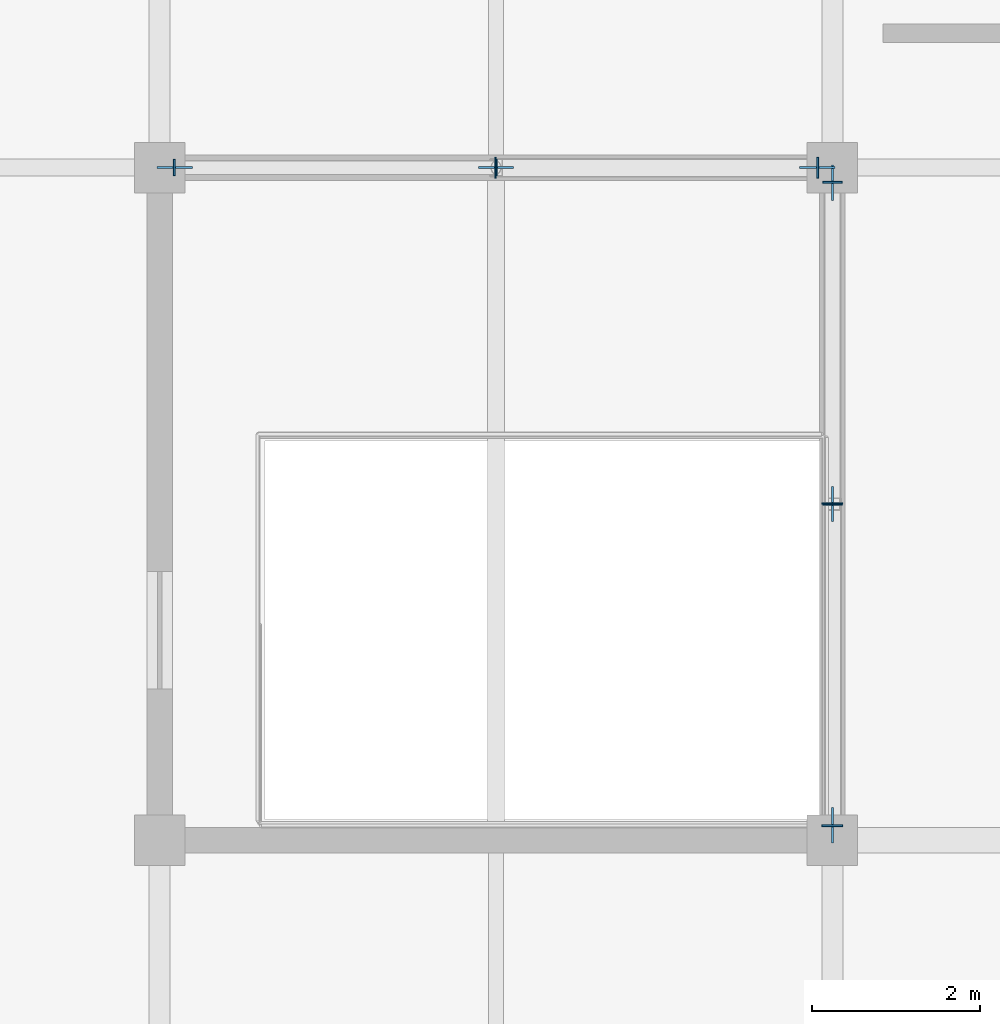
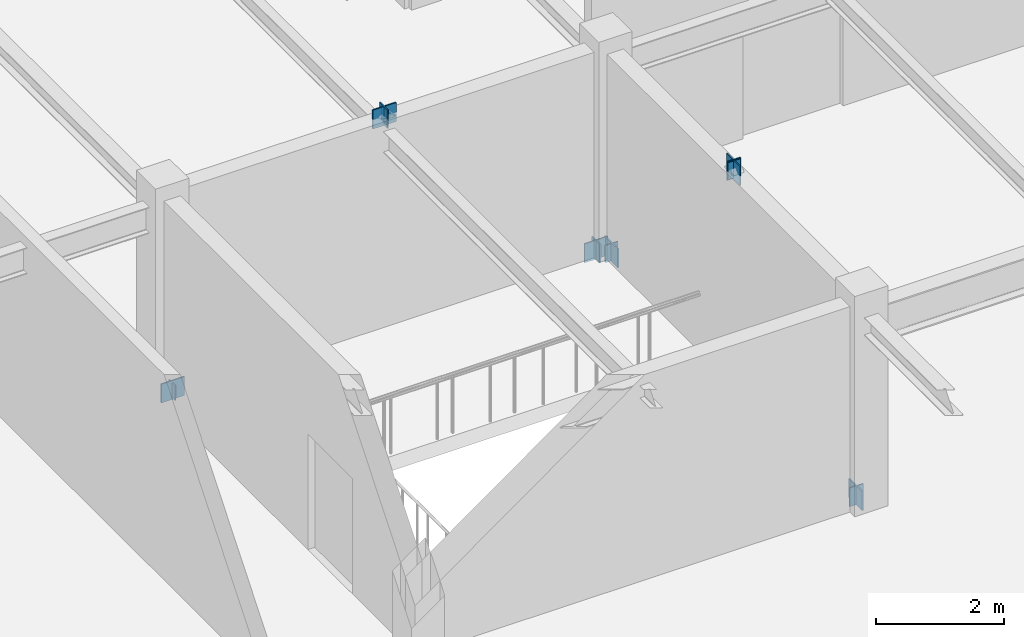
# One storey, part 72 of 88: 14 plates.
"""IFC4 building model written with IfcOpenShell, lengths in metres."""

from ifc_helpers import new_model, si_unit, direction, frame, origin, origin_2d, place, context, subcontext, project, spatial, rectangle, extrude, material, layer, layer_set, type_object, element, save


model = new_model("IFC4")

# Units and contexts
model_context = context("Model", 3, precision=1e-05, world=origin(), true_north=direction((0.0, 1.0)))
body_context = subcontext(model_context, "Body", "Model", "MODEL_VIEW")
ifc_project = project(units=[si_unit("LENGTHUNIT", "METRE"), si_unit("AREAUNIT", "SQUARE_METRE"), si_unit("VOLUMEUNIT", "CUBIC_METRE"), si_unit("PLANEANGLEUNIT", "RADIAN"), si_unit("MASSUNIT", "GRAM", prefix="KILO")], contexts=[model_context])

# Site, building, storey
site_placement = place(None, origin())
site = spatial("IfcSite", under=ifc_project, at=site_placement, CompositionType="ELEMENT")
building_placement = place(site_placement, origin())
building = spatial("IfcBuilding", under=site, at=building_placement, Name="Zhaolan Boulevard Law Courts", CompositionType="ELEMENT")
storey_placement = place(building_placement, frame((0.0, 0.0, 16.199951171875)))
storey = spatial("IfcBuildingStorey", under=building, at=storey_placement, Name="L03", CompositionType="ELEMENT", Elevation=16.199951171875)

# Plates
ifc_material_1 = material(Name="Structural steel Q355B", Category="steel")
ifc_layer_1 = layer(ifc_material_1, 0.02392578125)
ifc_layer_set_1 = layer_set([ifc_layer_1])
plate_type_1 = type_object("IfcPlateType", Name="BRACE GUSSET PLATE 24", PredefinedType="SHEET", material=ifc_layer_set_1)
for number, where, z_axis, x_axis, name in (
    (1, (140.179931640625, 78.0, -0.14990234375), (0.0, 0.0, 1.0), (1.0, 0.0, 0.0), "Brace Gusset Connection Plate GP-T2-L03-NA1"),
    (2, (147.820068359375, 78.0, -0.14990234375), (0.0, 0.0, 1.0), (1.0, 0.0, 0.0), "Brace Gusset Connection Plate GP-T2-L03-NA2"),
    (3, (144.0, 78.0, 3.740234375), (0.0, 0.0, 1.0), (1.0, 0.0, 0.0), "Brace Gusset Connection Plate GP-T2-L03-NAPX"),
    (4, (148.0, 70.179931640625, -0.14990234375), (0.0, 0.0, 1.0), (0.0, 1.0, 0.0), "Brace Gusset Connection Plate GP-T2-L03-EA1"),
    (5, (148.0, 77.820068359375, -0.14990234375), (0.0, 0.0, 1.0), (0.0, 1.0, 0.0), "Brace Gusset Connection Plate GP-T2-L03-EA2"),
    (6, (148.0, 74.0, 3.740234375), (0.0, 0.0, 1.0), (0.0, 1.0, 0.0), "Brace Gusset Connection Plate GP-T2-L03-EAPX"),
):
    element("IfcPlate", number, at=place(storey_placement, frame(where, z_axis=z_axis, x_axis=x_axis)), inside=storey, type_object=plate_type_1, Name=name, PredefinedType="SHEET", context=body_context, shape_type="SweptSolid", body=[
        extrude(rectangle(XDim=0.419921875, YDim=0.02392578125, at=origin_2d()), origin(), (0.0, 0.0, 1.0), 0.360107421875),
    ])
ifc_material_2 = material(Name="Structural steel Q355B", Category="steel")
ifc_layer_2 = layer(ifc_material_2, 0.02001953125)
ifc_layer_set_2 = layer_set([ifc_layer_2])
plate_type_2 = type_object("IfcPlateType", Name="END CAP PLATE 20", PredefinedType="SHEET", material=ifc_layer_set_2)
for number, where, z_axis, x_axis, name in (
    (7, (140.17431640625, 78.0, -0.1171875), (0.0, 0.0, 1.0), (1.0, 0.0, 0.0), "Hollow Section End-Cap Plate ECP-1335"),
    (8, (144.005615234375, 78.0, 3.7841796875), (0.0, 0.0, 1.0), (1.0, 0.0, 0.0), "Hollow Section End-Cap Plate ECP-1336"),
):
    element("IfcPlate", number, at=place(storey_placement, frame(where, z_axis=z_axis, x_axis=x_axis)), inside=storey, type_object=plate_type_2, Name=name, PredefinedType="SHEET", context=body_context, shape_type="SweptSolid", body=[
        extrude(rectangle(XDim=0.02001953125, YDim=0.197998046875, at=origin_2d()), origin(), (0.0, 0.0, 1.0), 0.282958984375),
    ])
for number, where, z_axis, x_axis, name in (
    (9, (147.82568359375, 78.0, -0.154052734375), (0.0, 0.0, 1.0), (-1.0, 0.0, 0.0), "Hollow Section End-Cap Plate ECP-1337"),
    (10, (143.994384765625, 78.0, 3.747314453125), (0.0, 0.0, 1.0), (-1.0, 0.0, 0.0), "Hollow Section End-Cap Plate ECP-1338"),
    (11, (148.0, 70.17431640625, -0.154052734375), (0.0, 0.0, 1.0), (0.0, 1.0, 0.0), "Hollow Section End-Cap Plate ECP-1339"),
    (12, (148.0, 74.005615234375, 3.747314453125), (0.0, 0.0, 1.0), (0.0, 1.0, 0.0), "Hollow Section End-Cap Plate ECP-1340"),
):
    element("IfcPlate", number, at=place(storey_placement, frame(where, z_axis=z_axis, x_axis=x_axis)), inside=storey, type_object=plate_type_2, Name=name, PredefinedType="SHEET", context=body_context, shape_type="SweptSolid", body=[
        extrude(rectangle(XDim=0.02001953125, YDim=0.25, at=origin_2d()), origin(), (0.0, 0.0, 1.0), 0.35693359375),
    ])
for number, where, z_axis, x_axis, name in (
    (13, (148.0, 77.82568359375, -0.1396484375), (0.0, 0.0, 1.0), (0.0, -1.0, 0.0), "Hollow Section End-Cap Plate ECP-1341"),
    (14, (148.0, 73.994384765625, 3.76171875), (0.0, 0.0, 1.0), (0.0, -1.0, 0.0), "Hollow Section End-Cap Plate ECP-1342"),
):
    element("IfcPlate", number, at=place(storey_placement, frame(where, z_axis=z_axis, x_axis=x_axis)), inside=storey, type_object=plate_type_2, Name=name, PredefinedType="SHEET", context=body_context, shape_type="SweptSolid", body=[
        extrude(rectangle(XDim=0.02001953125, YDim=0.22998046875, at=origin_2d()), origin(), (0.0, 0.0, 1.0), 0.327880859375),
    ])

save(model, "model.ifc")
